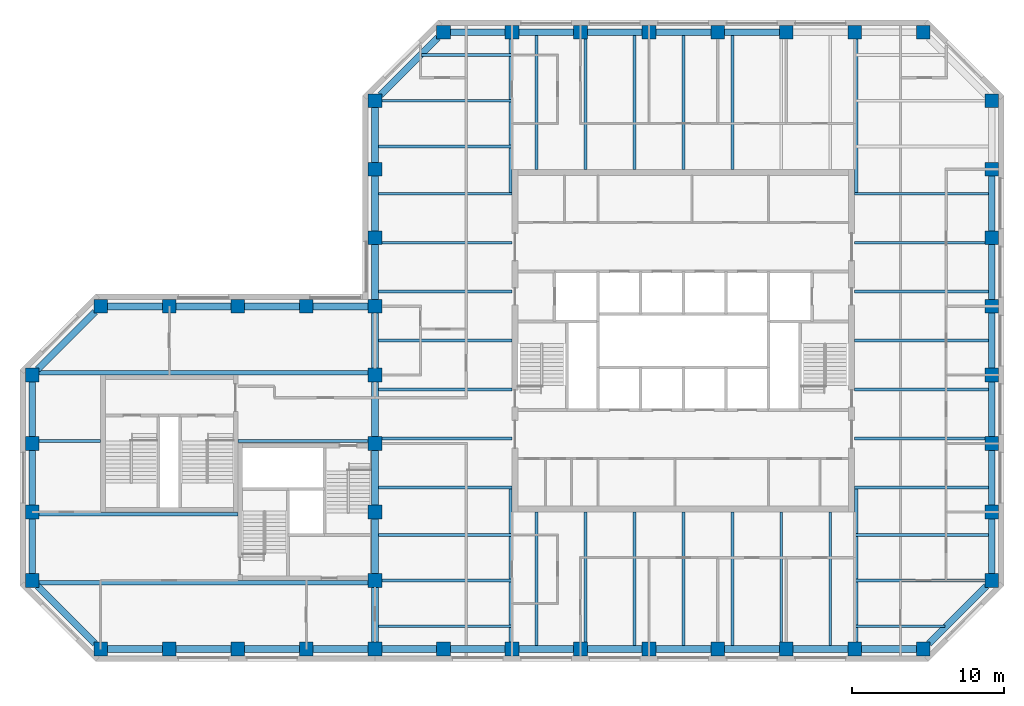
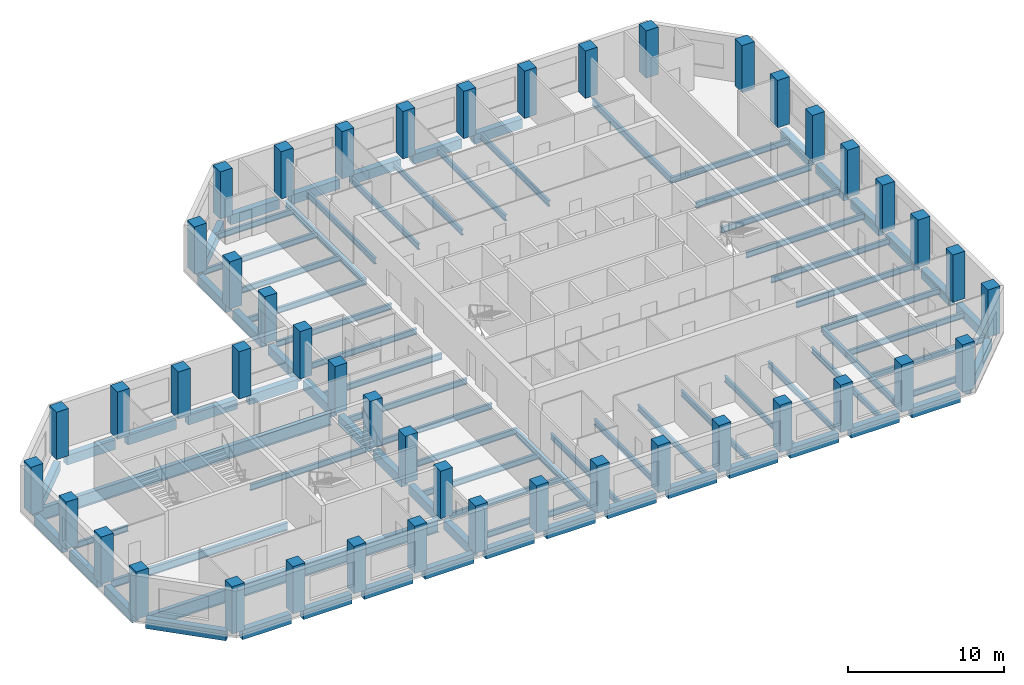
# One storey, part 1 of 9: 86 beams, 45 columns.
"""IFC4 building model written with IfcOpenShell, lengths in metres."""

import ifcopenshell
import ifcopenshell.guid

model = None  # the IFC model being written
_history = None  # IfcOwnerHistory: only IFC2X3 demands one
_inside = {}  # id of a spatial element -> (the spatial element, [elements in it])
_under = {}  # id of a project, library or spatial element -> (it, [spatial elements below it])
_declared = {}  # id of a project -> (the project, [libraries it declares])
_typed = {}  # id of a type object -> (the type object, [elements of that type])
_made_of = {}  # id of a material, layer set ... -> (it, [elements and type objects made of it])


def new_model(schema):
    """Start an empty IFC model of exactly this schema.

    Asked for "IFC4X3", IfcOpenShell would pick the latest addendum, in which some entities
    have other attributes; the version numbers below select the first issue.
    IFC2X3 requires an IfcOwnerHistory on every rooted entity: one is made here for all.
    """
    global model, _history
    if schema == "IFC4X3":
        model = ifcopenshell.file(schema_version=(4, 3, 0, 0))
    else:
        model = ifcopenshell.file(schema=schema)
    _inside.clear()
    _under.clear()
    _declared.clear()
    _typed.clear()
    _made_of.clear()
    _history = None
    if model.schema == "IFC2X3":
        org = make("IfcOrganization", Name="unknown")
        user = make(
            "IfcPersonAndOrganization",
            ThePerson=make("IfcPerson", FamilyName="unknown"),
            TheOrganization=org,
        )
        app = make(
            "IfcApplication",
            ApplicationDeveloper=org,
            Version="unknown",
            ApplicationFullName="unknown",
            ApplicationIdentifier="unknown",
        )
        _history = make(
            "IfcOwnerHistory",
            OwningUser=user,
            OwningApplication=app,
            ChangeAction="ADDED",
            CreationDate=0,
        )
    return model


def make(cls, **values):
    """One entity of the class cls with the attributes given. An attribute that is None is left unset."""
    return model.create_entity(
        cls, **{name: value for name, value in values.items() if value is not None}
    )


def rooted(cls, **values):
    """An entity with a GlobalId (a new one), such as an element, a storey or a relation."""
    return make(cls, GlobalId=ifcopenshell.guid.new(), OwnerHistory=_history, **values)


def si_unit(unit_type, name, prefix=None):
    """IfcSIUnit, for example si_unit("LENGTHUNIT", "METRE", prefix="MILLI")."""
    return make("IfcSIUnit", UnitType=unit_type, Prefix=prefix, Name=name)


def assignment(units):
    """IfcUnitAssignment: the units of a project."""
    return None if units is None else make("IfcUnitAssignment", Units=units)


def point(xyz):
    """IfcCartesianPoint."""
    return None if xyz is None else make("IfcCartesianPoint", Coordinates=xyz)


def direction(xyz):
    """IfcDirection."""
    return None if xyz is None else make("IfcDirection", DirectionRatios=xyz)


def frame(location, z_axis=None, x_axis=None):
    """IfcAxis2Placement3D, a coordinate frame: its origin and axes. An axis left out is left unset."""
    return make(
        "IfcAxis2Placement3D",
        Location=point(location),
        Axis=direction(z_axis),
        RefDirection=direction(x_axis),
    )


def frame_2d(location, x_axis=None):
    """IfcAxis2Placement2D, a coordinate frame in the plane: its origin and x axis."""
    return make(
        "IfcAxis2Placement2D", Location=point(location), RefDirection=direction(x_axis)
    )


def origin():
    """The frame at (0, 0, 0) with its axes left unset."""
    return frame((0.0, 0.0, 0.0))


def origin_2d():
    """The frame at (0, 0) in the plane with its x axis left unset."""
    return frame_2d((0.0, 0.0))


def place(relative_to, where):
    """IfcLocalPlacement: puts the frame where relative to a parent placement (None: the world)."""
    return make(
        "IfcLocalPlacement", PlacementRelTo=relative_to, RelativePlacement=where
    )


def context(
    kind, dimensions, precision=None, world=None, true_north=None, identifier=None
):
    """IfcGeometricRepresentationContext, for example the 3D "Model" context."""
    return make(
        "IfcGeometricRepresentationContext",
        ContextIdentifier=identifier,
        ContextType=kind,
        CoordinateSpaceDimension=dimensions,
        Precision=precision,
        WorldCoordinateSystem=world,
        TrueNorth=true_north,
    )


def subcontext(parent, identifier, kind, view, scale=None):
    """IfcGeometricRepresentationSubContext, for example "Body" below "Model"."""
    return make(
        "IfcGeometricRepresentationSubContext",
        ContextIdentifier=identifier,
        ContextType=kind,
        ParentContext=parent,
        TargetScale=scale,
        TargetView=view,
    )


def project(units=None, contexts=None):
    """IfcProject with its units and contexts."""
    return rooted(
        "IfcProject",
        Name="project",
        RepresentationContexts=contexts,
        UnitsInContext=assignment(units),
    )


def spatial(cls, under=None, at=None, **own):
    """A site, building, storey or space (cls), placed at a placement, below another one or the project."""
    s = rooted(cls, ObjectPlacement=at, **own)
    if under is not None:
        _under.setdefault(under.id(), (under, []))[1].append(s)
    return s


def profile(cls, at=None, kind="AREA", **sizes):
    """A parametric profile (cls). Its sizes go by their IFC names, for example OverallWidth=200.0."""
    return make(cls, ProfileType=kind, Position=at, **sizes)


def rectangle(**sizes):
    """IfcRectangleProfileDef."""
    return profile("IfcRectangleProfileDef", **sizes)


def i_section(**sizes):
    """IfcIShapeProfileDef."""
    return profile("IfcIShapeProfileDef", **sizes)


def extrude(swept, where, along, depth):
    """IfcExtrudedAreaSolid: the profile swept, set in the frame where, extruded along a direction by depth."""
    return make(
        "IfcExtrudedAreaSolid",
        SweptArea=swept,
        Position=where,
        ExtrudedDirection=direction(along),
        Depth=depth,
    )


def shape(context_of_items, identifier, shape_type, items):
    """IfcShapeRepresentation: the items that make up one representation, for example the "Body"."""
    return make(
        "IfcShapeRepresentation",
        ContextOfItems=context_of_items,
        RepresentationIdentifier=identifier,
        RepresentationType=shape_type,
        Items=items,
    )


def material(Name=None, Category=None):
    """IfcMaterial."""
    return make("IfcMaterial", Name=Name, Category=Category)


def material_profile(
    of_material, cross_section, Name=None, Category=None, Priority=None
):
    """IfcMaterialProfile: a cross section and its material."""
    return make(
        "IfcMaterialProfile",
        Name=Name,
        Material=of_material,
        Profile=cross_section,
        Priority=Priority,
        Category=Category,
    )


def profile_set(profiles, Name=None, composite=None):
    """IfcMaterialProfileSet."""
    return make(
        "IfcMaterialProfileSet",
        Name=Name,
        MaterialProfiles=profiles,
        CompositeProfile=composite,
    )


def made_of(thing, what):
    """Note that an element or type object is made of a material, layer set ...; save() writes the relation."""
    if what is not None:
        _made_of.setdefault(what.id(), (what, []))[1].append(thing)
    return thing


def type_object(cls, material=None, **own):
    """A type object (cls), such as IfcWallType, which elements share."""
    return made_of(rooted(cls, **own), material)


def element(
    cls,
    number,
    at=None,
    inside=None,
    cuts=None,
    type_object=None,
    material=None,
    context=None,
    identifier="Body",
    shape_type=None,
    held_by="IfcProductDefinitionShape",
    body=None,
    shapes=None,
    **own,
):
    """One element of the class cls, such as IfcWall. Its Tag is "e" and its number.

    at: its placement. inside: the storey or other place that contains it. cuts: it is an
    opening in that element (IfcRelVoidsElement). A single representation is given by context,
    identifier, shape_type and body (its items); several are given by shapes. held_by: the class
    of the entity that holds the representations. save() writes the other relations.
    """
    e = rooted(cls, Tag="e%d" % number, ObjectPlacement=at, **own)
    if body is not None:
        shapes = [shape(context, identifier, shape_type, body)]
    if shapes is not None:
        e.Representation = make(held_by, Representations=shapes)
    if inside is not None:
        _inside.setdefault(inside.id(), (inside, []))[1].append(e)
    if cuts is not None:
        rooted(
            "IfcRelVoidsElement", RelatingBuildingElement=cuts, RelatedOpeningElement=e
        )
    if type_object is not None:
        _typed.setdefault(type_object.id(), (type_object, []))[1].append(e)
    return made_of(e, material)


def aggregate(whole, parts):
    """IfcRelAggregates: a whole, such as a stair, and the parts it consists of."""
    return rooted("IfcRelAggregates", RelatingObject=whole, RelatedObjects=parts)


def save(model, path):
    """Write the relations noted so far, then the file.

    IfcRelAggregates (storeys below a building ...), IfcRelContainedInSpatialStructure (elements
    in a storey), IfcRelDefinesByType, IfcRelAssociatesMaterial and IfcRelDeclares: one each for
    every whole, place, type object, material and project.
    """
    for whole, parts in _under.values():
        aggregate(whole, parts)
    for where, things in _inside.values():
        rooted(
            "IfcRelContainedInSpatialStructure",
            RelatedElements=things,
            RelatingStructure=where,
        )
    for kind, things in _typed.values():
        rooted("IfcRelDefinesByType", RelatedObjects=things, RelatingType=kind)
    for what, things in _made_of.values():
        rooted("IfcRelAssociatesMaterial", RelatedObjects=things, RelatingMaterial=what)
    for by, libraries in _declared.values():
        rooted("IfcRelDeclares", RelatingContext=by, RelatedDefinitions=libraries)
    model.write(path)


model = new_model("IFC4")

# Units and contexts
model_context = context("Model", 3, precision=1e-05, world=origin(), true_north=direction((0.0, 1.0)))
body_context = subcontext(model_context, "Body", "Model", "MODEL_VIEW")
ifc_project = project(units=[si_unit("LENGTHUNIT", "METRE"), si_unit("AREAUNIT", "SQUARE_METRE"), si_unit("VOLUMEUNIT", "CUBIC_METRE"), si_unit("PLANEANGLEUNIT", "RADIAN"), si_unit("MASSUNIT", "GRAM", prefix="KILO")], contexts=[model_context])

# Site, building, storey
site_placement = place(None, origin())
site = spatial("IfcSite", under=ifc_project, at=site_placement, CompositionType="ELEMENT")
building_placement = place(site_placement, origin())
building = spatial("IfcBuilding", under=site, at=building_placement, Name="Quoin Convention Tower", CompositionType="ELEMENT")
storey_placement = place(building_placement, frame((0.0, 0.0, 151.39990234375)))
storey = spatial("IfcBuildingStorey", under=building, at=storey_placement, Name="L39", CompositionType="ELEMENT", Elevation=151.39990234375)

# Columns
ifc_material_1 = material(Name="Concrete C50", Category="concrete")
ifc_material_profile_1 = material_profile(ifc_material_1, rectangle(XDim=0.89990234375, YDim=0.89990234375, at=origin_2d()), Name="RC 900x900")
ifc_profile_set_1 = profile_set([ifc_material_profile_1], Name="Concrete C50")
column_type = type_object("IfcColumnType", Name="RC 900x900 C50", PredefinedType="COLUMN", material=ifc_profile_set_1)
for number, where, z_axis, x_axis, name in (
    (1, (18.0, 40.5, 0.0), (0.0, 0.0, 1.0), (1.0, 0.0, 0.0), "col-L39-18000_40500"),
    (2, (22.5, 40.5, 0.0), (0.0, 0.0, 1.0), (1.0, 0.0, 0.0), "col-L39-22500_40500"),
    (3, (27.0, 40.5, 0.0), (0.0, 0.0, 1.0), (1.0, 0.0, 0.0), "col-L39-27000_40500"),
    (4, (31.5, 40.5, 0.0), (0.0, 0.0, 1.0), (1.0, 0.0, 0.0), "col-L39-31500_40500"),
    (5, (36.0, 40.5, 0.0), (0.0, 0.0, 1.0), (1.0, 0.0, 0.0), "col-L39-36000_40500"),
    (6, (40.5, 40.5, 0.0), (0.0, 0.0, 1.0), (1.0, 0.0, 0.0), "col-L39-40500_40500"),
    (7, (45.0, 40.5, 0.0), (0.0, 0.0, 1.0), (1.0, 0.0, 0.0), "col-L39-45000_40500"),
    (8, (49.5, 40.5, 0.0), (0.0, 0.0, 1.0), (1.0, 0.0, 0.0), "col-L39-49500_40500"),
    (9, (54.0, 40.5, 0.0), (0.0, 0.0, 1.0), (1.0, 0.0, 0.0), "col-L39-54000_40500"),
    (10, (58.5, 40.5, 0.0), (0.0, 0.0, 1.0), (1.0, 0.0, 0.0), "col-L39-58500_40500"),
    (11, (63.0, 40.5, 0.0), (0.0, 0.0, 1.0), (1.0, 0.0, 0.0), "col-L39-63000_40500"),
    (12, (67.5, 40.5, 0.0), (0.0, 0.0, 1.0), (1.0, 0.0, 0.0), "col-L39-67500_40500"),
    (13, (72.0, 40.5, 0.0), (0.0, 0.0, 1.0), (1.0, 0.0, 0.0), "col-L39-72000_40500"),
    (14, (13.5, 45.0, 0.0), (0.0, 0.0, 1.0), (1.0, 0.0, 0.0), "col-L39-13500_45000"),
    (15, (36.0, 45.0, 0.0), (0.0, 0.0, 1.0), (1.0, 0.0, 0.0), "web-L39-36000_45000"),
    (16, (76.5, 45.0, 0.0), (0.0, 0.0, 1.0), (1.0, 0.0, 0.0), "col-L39-76500_45000"),
    (17, (13.5, 49.5, 0.0), (0.0, 0.0, 1.0), (1.0, 0.0, 0.0), "col-L39-13500_49500"),
    (18, (36.0, 49.5, 0.0), (0.0, 0.0, 1.0), (1.0, 0.0, 0.0), "web-L39-36000_49500"),
    (19, (76.5, 49.5, 0.0), (0.0, 0.0, 1.0), (1.0, 0.0, 0.0), "col-L39-76500_49500"),
    (20, (13.5, 54.0, 0.0), (0.0, 0.0, 1.0), (1.0, 0.0, 0.0), "col-L39-13500_54000"),
    (21, (36.0, 54.0, 0.0), (0.0, 0.0, 1.0), (1.0, 0.0, 0.0), "web-L39-36000_54000"),
    (22, (76.5, 54.0, 0.0), (0.0, 0.0, 1.0), (1.0, 0.0, 0.0), "col-L39-76500_54000"),
    (23, (13.5, 58.5, 0.0), (0.0, 0.0, 1.0), (1.0, 0.0, 0.0), "col-L39-13500_58500"),
    (24, (36.0, 58.5, 0.0), (0.0, 0.0, 1.0), (1.0, 0.0, 0.0), "web-L39-36000_58500"),
    (25, (76.5, 58.5, 0.0), (0.0, 0.0, 1.0), (1.0, 0.0, 0.0), "col-L39-76500_58500"),
    (26, (18.0, 63.0, 0.0), (0.0, 0.0, 1.0), (1.0, 0.0, 0.0), "col-L39-18000_63000"),
    (27, (22.5, 63.0, 0.0), (0.0, 0.0, 1.0), (1.0, 0.0, 0.0), "col-L39-22500_63000"),
    (28, (27.0, 63.0, 0.0), (0.0, 0.0, 1.0), (1.0, 0.0, 0.0), "col-L39-27000_63000"),
    (29, (31.5, 63.0, 0.0), (0.0, 0.0, 1.0), (1.0, 0.0, 0.0), "col-L39-31500_63000"),
    (30, (36.0, 63.0, 0.0), (0.0, 0.0, 1.0), (1.0, 0.0, 0.0), "col-L39-36000_63000"),
    (31, (76.5, 63.0, 0.0), (0.0, 0.0, 1.0), (1.0, 0.0, 0.0), "col-L39-76500_63000"),
    (32, (36.0, 67.5, 0.0), (0.0, 0.0, 1.0), (1.0, 0.0, 0.0), "col-L39-36000_67500"),
    (33, (76.5, 67.5, 0.0), (0.0, 0.0, 1.0), (1.0, 0.0, 0.0), "col-L39-76500_67500"),
    (34, (36.0, 72.0, 0.0), (0.0, 0.0, 1.0), (1.0, 0.0, 0.0), "col-L39-36000_72000"),
    (35, (76.5, 72.0, 0.0), (0.0, 0.0, 1.0), (1.0, 0.0, 0.0), "col-L39-76500_72000"),
    (36, (36.0, 76.5, 0.0), (0.0, 0.0, 1.0), (1.0, 0.0, 0.0), "col-L39-36000_76500"),
    (37, (76.5, 76.5, 0.0), (0.0, 0.0, 1.0), (1.0, 0.0, 0.0), "col-L39-76500_76500"),
    (38, (40.5, 81.0, 0.0), (0.0, 0.0, 1.0), (1.0, 0.0, 0.0), "col-L39-40500_81000"),
    (39, (45.0, 81.0, 0.0), (0.0, 0.0, 1.0), (1.0, 0.0, 0.0), "col-L39-45000_81000"),
    (40, (49.5, 81.0, 0.0), (0.0, 0.0, 1.0), (1.0, 0.0, 0.0), "col-L39-49500_81000"),
    (41, (54.0, 81.0, 0.0), (0.0, 0.0, 1.0), (1.0, 0.0, 0.0), "col-L39-54000_81000"),
    (42, (58.5, 81.0, 0.0), (0.0, 0.0, 1.0), (1.0, 0.0, 0.0), "col-L39-58500_81000"),
    (43, (63.0, 81.0, 0.0), (0.0, 0.0, 1.0), (1.0, 0.0, 0.0), "col-L39-63000_81000"),
    (44, (67.5, 81.0, 0.0), (0.0, 0.0, 1.0), (1.0, 0.0, 0.0), "col-L39-67500_81000"),
    (45, (72.0, 81.0, 0.0), (0.0, 0.0, 1.0), (1.0, 0.0, 0.0), "col-L39-72000_81000"),
):
    element("IfcColumn", number, at=place(storey_placement, frame(where, z_axis=z_axis, x_axis=x_axis)), inside=storey, type_object=column_type, Name=name, PredefinedType="COLUMN", context=body_context, shape_type="SweptSolid", body=[
        extrude(rectangle(XDim=0.89990234375, YDim=0.89990234375, at=origin_2d()), origin(), (0.0, 0.0, 1.0), 3.7001953125),
    ])

# Beams
ifc_material_2 = material(Name="Steel Grade 300", Category="steel")
ifc_material_profile_2 = material_profile(ifc_material_2, i_section(OverallWidth=0.300048828125, OverallDepth=1.0, WebThickness=0.01611328125, FlangeThickness=0.02001953125, at=origin_2d()), Name="1000WB215")
ifc_profile_set_2 = profile_set([ifc_material_profile_2], Name="Steel Grade 300")
beam_type_1 = type_object("IfcBeamType", Name="1000WB215", PredefinedType="BEAM", material=ifc_profile_set_2)
for number, where, z_axis, x_axis, name in (
    (46, (13.949951171875, 44.85009765625, -0.64990234375), (1.0, 0.0, 0.0), (0.0, 1.0, 0.0), "gir-L39-ST2-1-0"),
    (47, (13.949951171875, 58.64990234375, -0.64990234375), (1.0, 0.0, 0.0), (0.0, 1.0, 0.0), "gir-L39-ST2-4-0"),
):
    element("IfcBeam", number, at=place(storey_placement, frame(where, z_axis=z_axis, x_axis=x_axis)), inside=storey, type_object=beam_type_1, Name=name, PredefinedType="BEAM", context=body_context, shape_type="SweptSolid", body=[
        extrude(i_section(OverallWidth=0.300048828125, OverallDepth=1.0, WebThickness=0.01611328125, FlangeThickness=0.02001953125, at=origin_2d()), origin(), (0.0, 0.0, 1.0), 21.60009765625),
    ])
ifc_material_profile_3 = material_profile(ifc_material_2, i_section(OverallWidth=0.18994140625, OverallDepth=0.4541015625, WebThickness=0.008544921875, FlangeThickness=0.0126953125, FilletRadius=0.011474609375, at=origin_2d()), Name="460UB67.1")
ifc_profile_set_3 = profile_set([ifc_material_profile_3], Name="Steel Grade 300")
beam_type_2 = type_object("IfcBeamType", Name="460UB67.1", PredefinedType="BEAM", material=ifc_profile_set_3)
beam_1_placement = place(storey_placement, frame((36.22509765625, 51.107177734375, -0.376953125), z_axis=(1.0, 0.0, 0.0), x_axis=(0.0, 1.0, 0.0)))
element("IfcBeam", 48, at=beam_1_placement, inside=storey, type_object=beam_type_2, Name="bm-L39-T1W0", PredefinedType="BEAM", context=body_context, shape_type="SweptSolid", body=[
    extrude(i_section(OverallWidth=0.18994140625, OverallDepth=0.4541015625, WebThickness=0.008544921875, FlangeThickness=0.0126953125, FilletRadius=0.011474609375, at=origin_2d()), origin(), (0.0, 0.0, 1.0), 8.77490234375),
])
beam_2_placement = place(storey_placement, frame((36.449951171875, 54.3212890625, -0.376953125), z_axis=(1.0, 0.0, 0.0), x_axis=(0.0, 1.0, 0.0)))
element("IfcBeam", 49, at=beam_2_placement, inside=storey, type_object=beam_type_2, Name="bm-L39-T1W1", PredefinedType="BEAM", context=body_context, shape_type="SweptSolid", body=[
    extrude(i_section(OverallWidth=0.18994140625, OverallDepth=0.4541015625, WebThickness=0.008544921875, FlangeThickness=0.0126953125, FilletRadius=0.011474609375, at=origin_2d()), origin(), (0.0, 0.0, 1.0), 8.550048828125),
])
for number, where, z_axis, x_axis, name in (
    (50, (36.22509765625, 57.53564453125, -0.376953125), (1.0, 0.0, 0.0), (0.0, 1.0, 0.0), "bm-L39-T1W2"),
    (51, (36.22509765625, 60.75, -0.376953125), (1.0, 0.0, 0.0), (0.0, 1.0, 0.0), "bm-L39-T1W3"),
    (52, (36.22509765625, 63.96435546875, -0.376953125), (1.0, 0.0, 0.0), (0.0, 1.0, 0.0), "bm-L39-T1W4"),
):
    element("IfcBeam", number, at=place(storey_placement, frame(where, z_axis=z_axis, x_axis=x_axis)), inside=storey, type_object=beam_type_2, Name=name, PredefinedType="BEAM", context=body_context, shape_type="SweptSolid", body=[
        extrude(i_section(OverallWidth=0.18994140625, OverallDepth=0.4541015625, WebThickness=0.008544921875, FlangeThickness=0.0126953125, FilletRadius=0.011474609375, at=origin_2d()), origin(), (0.0, 0.0, 1.0), 8.77490234375),
    ])
beam_3_placement = place(storey_placement, frame((36.449951171875, 67.1787109375, -0.376953125), z_axis=(1.0, 0.0, 0.0), x_axis=(0.0, 1.0, 0.0)))
element("IfcBeam", 53, at=beam_3_placement, inside=storey, type_object=beam_type_2, Name="bm-L39-T1W5", PredefinedType="BEAM", context=body_context, shape_type="SweptSolid", body=[
    extrude(i_section(OverallWidth=0.18994140625, OverallDepth=0.4541015625, WebThickness=0.008544921875, FlangeThickness=0.0126953125, FilletRadius=0.011474609375, at=origin_2d()), origin(), (0.0, 0.0, 1.0), 8.550048828125),
])
for number, where, z_axis, x_axis, name in (
    (54, (36.22509765625, 70.392822265625, -0.376953125), (1.0, 0.0, 0.0), (0.0, 1.0, 0.0), "bm-L39-T1W6"),
    (55, (67.5, 51.107177734375, -0.376953125), (1.0, 0.0, 0.0), (0.0, 1.0, 0.0), "bm-L39-T1E0"),
):
    element("IfcBeam", number, at=place(storey_placement, frame(where, z_axis=z_axis, x_axis=x_axis)), inside=storey, type_object=beam_type_2, Name=name, PredefinedType="BEAM", context=body_context, shape_type="SweptSolid", body=[
        extrude(i_section(OverallWidth=0.18994140625, OverallDepth=0.4541015625, WebThickness=0.008544921875, FlangeThickness=0.0126953125, FilletRadius=0.011474609375, at=origin_2d()), origin(), (0.0, 0.0, 1.0), 8.77490234375),
    ])
beam_4_placement = place(storey_placement, frame((67.5, 54.3212890625, -0.376953125), z_axis=(1.0, 0.0, 0.0), x_axis=(0.0, 1.0, 0.0)))
element("IfcBeam", 56, at=beam_4_placement, inside=storey, type_object=beam_type_2, Name="bm-L39-T1E1", PredefinedType="BEAM", context=body_context, shape_type="SweptSolid", body=[
    extrude(i_section(OverallWidth=0.18994140625, OverallDepth=0.4541015625, WebThickness=0.008544921875, FlangeThickness=0.0126953125, FilletRadius=0.011474609375, at=origin_2d()), origin(), (0.0, 0.0, 1.0), 8.550048828125),
])
for number, where, z_axis, x_axis, name in (
    (57, (67.5, 57.53564453125, -0.376953125), (1.0, 0.0, 0.0), (0.0, 1.0, 0.0), "bm-L39-T1E2"),
    (58, (67.5, 60.75, -0.376953125), (1.0, 0.0, 0.0), (0.0, 1.0, 0.0), "bm-L39-T1E3"),
    (59, (67.5, 63.96435546875, -0.376953125), (1.0, 0.0, 0.0), (0.0, 1.0, 0.0), "bm-L39-T1E4"),
):
    element("IfcBeam", number, at=place(storey_placement, frame(where, z_axis=z_axis, x_axis=x_axis)), inside=storey, type_object=beam_type_2, Name=name, PredefinedType="BEAM", context=body_context, shape_type="SweptSolid", body=[
        extrude(i_section(OverallWidth=0.18994140625, OverallDepth=0.4541015625, WebThickness=0.008544921875, FlangeThickness=0.0126953125, FilletRadius=0.011474609375, at=origin_2d()), origin(), (0.0, 0.0, 1.0), 8.77490234375),
    ])
beam_5_placement = place(storey_placement, frame((67.5, 67.1787109375, -0.376953125), z_axis=(1.0, 0.0, 0.0), x_axis=(0.0, 1.0, 0.0)))
element("IfcBeam", 60, at=beam_5_placement, inside=storey, type_object=beam_type_2, Name="bm-L39-T1E5", PredefinedType="BEAM", context=body_context, shape_type="SweptSolid", body=[
    extrude(i_section(OverallWidth=0.18994140625, OverallDepth=0.4541015625, WebThickness=0.008544921875, FlangeThickness=0.0126953125, FilletRadius=0.011474609375, at=origin_2d()), origin(), (0.0, 0.0, 1.0), 8.550048828125),
])
for number, where, z_axis, x_axis, name in (
    (61, (67.5, 70.392822265625, -0.376953125), (1.0, 0.0, 0.0), (0.0, 1.0, 0.0), "bm-L39-T1E6"),
    (62, (46.607177734375, 40.72509765625, -0.376953125), (0.0, 1.0, 0.0), (-1.0, 0.0, 0.0), "bm-L39-T1S0"),
):
    element("IfcBeam", number, at=place(storey_placement, frame(where, z_axis=z_axis, x_axis=x_axis)), inside=storey, type_object=beam_type_2, Name=name, PredefinedType="BEAM", context=body_context, shape_type="SweptSolid", body=[
        extrude(i_section(OverallWidth=0.18994140625, OverallDepth=0.4541015625, WebThickness=0.008544921875, FlangeThickness=0.0126953125, FilletRadius=0.011474609375, at=origin_2d()), origin(), (0.0, 0.0, 1.0), 8.77490234375),
    ])
beam_6_placement = place(storey_placement, frame((49.8212890625, 40.949951171875, -0.376953125), z_axis=(0.0, 1.0, 0.0), x_axis=(-1.0, 0.0, 0.0)))
element("IfcBeam", 63, at=beam_6_placement, inside=storey, type_object=beam_type_2, Name="bm-L39-T1S1", PredefinedType="BEAM", context=body_context, shape_type="SweptSolid", body=[
    extrude(i_section(OverallWidth=0.18994140625, OverallDepth=0.4541015625, WebThickness=0.008544921875, FlangeThickness=0.0126953125, FilletRadius=0.011474609375, at=origin_2d()), origin(), (0.0, 0.0, 1.0), 8.550048828125),
])
for number, where, z_axis, x_axis, name in (
    (64, (53.03564453125, 40.72509765625, -0.376953125), (0.0, 1.0, 0.0), (-1.0, 0.0, 0.0), "bm-L39-T1S2"),
    (65, (56.25, 40.72509765625, -0.376953125), (0.0, 1.0, 0.0), (-1.0, 0.0, 0.0), "bm-L39-T1S3"),
    (66, (59.46435546875, 40.72509765625, -0.376953125), (0.0, 1.0, 0.0), (-1.0, 0.0, 0.0), "bm-L39-T1S4"),
):
    element("IfcBeam", number, at=place(storey_placement, frame(where, z_axis=z_axis, x_axis=x_axis)), inside=storey, type_object=beam_type_2, Name=name, PredefinedType="BEAM", context=body_context, shape_type="SweptSolid", body=[
        extrude(i_section(OverallWidth=0.18994140625, OverallDepth=0.4541015625, WebThickness=0.008544921875, FlangeThickness=0.0126953125, FilletRadius=0.011474609375, at=origin_2d()), origin(), (0.0, 0.0, 1.0), 8.77490234375),
    ])
beam_7_placement = place(storey_placement, frame((62.6787109375, 40.949951171875, -0.376953125), z_axis=(0.0, 1.0, 0.0), x_axis=(-1.0, 0.0, 0.0)))
element("IfcBeam", 67, at=beam_7_placement, inside=storey, type_object=beam_type_2, Name="bm-L39-T1S5", PredefinedType="BEAM", context=body_context, shape_type="SweptSolid", body=[
    extrude(i_section(OverallWidth=0.18994140625, OverallDepth=0.4541015625, WebThickness=0.008544921875, FlangeThickness=0.0126953125, FilletRadius=0.011474609375, at=origin_2d()), origin(), (0.0, 0.0, 1.0), 8.550048828125),
])
for number, where, z_axis, x_axis, name in (
    (68, (65.892822265625, 40.72509765625, -0.376953125), (0.0, 1.0, 0.0), (-1.0, 0.0, 0.0), "bm-L39-T1S6"),
    (69, (46.607177734375, 72.0, -0.376953125), (0.0, 1.0, 0.0), (-1.0, 0.0, 0.0), "bm-L39-T1N0"),
):
    element("IfcBeam", number, at=place(storey_placement, frame(where, z_axis=z_axis, x_axis=x_axis)), inside=storey, type_object=beam_type_2, Name=name, PredefinedType="BEAM", context=body_context, shape_type="SweptSolid", body=[
        extrude(i_section(OverallWidth=0.18994140625, OverallDepth=0.4541015625, WebThickness=0.008544921875, FlangeThickness=0.0126953125, FilletRadius=0.011474609375, at=origin_2d()), origin(), (0.0, 0.0, 1.0), 8.77490234375),
    ])
beam_8_placement = place(storey_placement, frame((49.8212890625, 72.0, -0.376953125), z_axis=(0.0, 1.0, 0.0), x_axis=(-1.0, 0.0, 0.0)))
element("IfcBeam", 70, at=beam_8_placement, inside=storey, type_object=beam_type_2, Name="bm-L39-T1N1", PredefinedType="BEAM", context=body_context, shape_type="SweptSolid", body=[
    extrude(i_section(OverallWidth=0.18994140625, OverallDepth=0.4541015625, WebThickness=0.008544921875, FlangeThickness=0.0126953125, FilletRadius=0.011474609375, at=origin_2d()), origin(), (0.0, 0.0, 1.0), 8.550048828125),
])
for number, where, z_axis, x_axis, name in (
    (71, (53.03564453125, 72.0, -0.376953125), (0.0, 1.0, 0.0), (-1.0, 0.0, 0.0), "bm-L39-T1N2"),
    (72, (56.25, 72.0, -0.376953125), (0.0, 1.0, 0.0), (-1.0, 0.0, 0.0), "bm-L39-T1N3"),
    (73, (59.46435546875, 72.0, -0.376953125), (0.0, 1.0, 0.0), (-1.0, 0.0, 0.0), "bm-L39-T1N4"),
    (74, (36.22509765625, 42.0, -0.376953125), (1.0, 0.0, 0.0), (0.0, 1.0, 0.0), "bm-L39-T1SW0"),
):
    element("IfcBeam", number, at=place(storey_placement, frame(where, z_axis=z_axis, x_axis=x_axis)), inside=storey, type_object=beam_type_2, Name=name, PredefinedType="BEAM", context=body_context, shape_type="SweptSolid", body=[
        extrude(i_section(OverallWidth=0.18994140625, OverallDepth=0.4541015625, WebThickness=0.008544921875, FlangeThickness=0.0126953125, FilletRadius=0.011474609375, at=origin_2d()), origin(), (0.0, 0.0, 1.0), 8.77490234375),
    ])
beam_9_placement = place(storey_placement, frame((36.449951171875, 45.0, -0.376953125), z_axis=(1.0, 0.0, 0.0), x_axis=(0.0, 1.0, 0.0)))
element("IfcBeam", 75, at=beam_9_placement, inside=storey, type_object=beam_type_2, Name="bm-L39-T1SW1", PredefinedType="BEAM", context=body_context, shape_type="SweptSolid", body=[
    extrude(i_section(OverallWidth=0.18994140625, OverallDepth=0.4541015625, WebThickness=0.008544921875, FlangeThickness=0.0126953125, FilletRadius=0.011474609375, at=origin_2d()), origin(), (0.0, 0.0, 1.0), 8.550048828125),
])
beam_10_placement = place(storey_placement, frame((36.22509765625, 48.0, -0.376953125), z_axis=(1.0, 0.0, 0.0), x_axis=(0.0, 1.0, 0.0)))
element("IfcBeam", 76, at=beam_10_placement, inside=storey, type_object=beam_type_2, Name="bm-L39-T1SW2", PredefinedType="BEAM", context=body_context, shape_type="SweptSolid", body=[
    extrude(i_section(OverallWidth=0.18994140625, OverallDepth=0.4541015625, WebThickness=0.008544921875, FlangeThickness=0.0126953125, FilletRadius=0.011474609375, at=origin_2d()), origin(), (0.0, 0.0, 1.0), 8.77490234375),
])
beam_11_placement = place(storey_placement, frame((67.5, 42.0, -0.376953125), z_axis=(1.0, 0.0, 0.0), x_axis=(0.0, 1.0, 0.0)))
element("IfcBeam", 77, at=beam_11_placement, inside=storey, type_object=beam_type_2, Name="bm-L39-T1SE0", PredefinedType="BEAM", context=body_context, shape_type="SweptSolid", body=[
    extrude(i_section(OverallWidth=0.18994140625, OverallDepth=0.4541015625, WebThickness=0.008544921875, FlangeThickness=0.0126953125, FilletRadius=0.011474609375, at=origin_2d()), origin(), (0.0, 0.0, 1.0), 5.935791015625),
])
beam_12_placement = place(storey_placement, frame((67.5, 45.0, -0.376953125), z_axis=(1.0, 0.0, 0.0), x_axis=(0.0, 1.0, 0.0)))
element("IfcBeam", 78, at=beam_12_placement, inside=storey, type_object=beam_type_2, Name="bm-L39-T1SE1", PredefinedType="BEAM", context=body_context, shape_type="SweptSolid", body=[
    extrude(i_section(OverallWidth=0.18994140625, OverallDepth=0.4541015625, WebThickness=0.008544921875, FlangeThickness=0.0126953125, FilletRadius=0.011474609375, at=origin_2d()), origin(), (0.0, 0.0, 1.0), 8.550048828125),
])
beam_13_placement = place(storey_placement, frame((67.5, 48.0, -0.376953125), z_axis=(1.0, 0.0, 0.0), x_axis=(0.0, 1.0, 0.0)))
element("IfcBeam", 79, at=beam_13_placement, inside=storey, type_object=beam_type_2, Name="bm-L39-T1SE2", PredefinedType="BEAM", context=body_context, shape_type="SweptSolid", body=[
    extrude(i_section(OverallWidth=0.18994140625, OverallDepth=0.4541015625, WebThickness=0.008544921875, FlangeThickness=0.0126953125, FilletRadius=0.011474609375, at=origin_2d()), origin(), (0.0, 0.0, 1.0), 8.77490234375),
])
beam_14_placement = place(storey_placement, frame((39.064208984375, 79.5, -0.376953125), z_axis=(1.0, 0.0, 0.0), x_axis=(0.0, 1.0, 0.0)))
element("IfcBeam", 80, at=beam_14_placement, inside=storey, type_object=beam_type_2, Name="bm-L39-T1NW0", PredefinedType="BEAM", context=body_context, shape_type="SweptSolid", body=[
    extrude(i_section(OverallWidth=0.18994140625, OverallDepth=0.4541015625, WebThickness=0.008544921875, FlangeThickness=0.0126953125, FilletRadius=0.011474609375, at=origin_2d()), origin(), (0.0, 0.0, 1.0), 5.935791015625),
])
beam_15_placement = place(storey_placement, frame((36.449951171875, 76.5, -0.376953125), z_axis=(1.0, 0.0, 0.0), x_axis=(0.0, 1.0, 0.0)))
element("IfcBeam", 81, at=beam_15_placement, inside=storey, type_object=beam_type_2, Name="bm-L39-T1NW1", PredefinedType="BEAM", context=body_context, shape_type="SweptSolid", body=[
    extrude(i_section(OverallWidth=0.18994140625, OverallDepth=0.4541015625, WebThickness=0.008544921875, FlangeThickness=0.0126953125, FilletRadius=0.011474609375, at=origin_2d()), origin(), (0.0, 0.0, 1.0), 8.550048828125),
])
beam_16_placement = place(storey_placement, frame((36.22509765625, 73.5, -0.376953125), z_axis=(1.0, 0.0, 0.0), x_axis=(0.0, 1.0, 0.0)))
element("IfcBeam", 82, at=beam_16_placement, inside=storey, type_object=beam_type_2, Name="bm-L39-T1NW2", PredefinedType="BEAM", context=body_context, shape_type="SweptSolid", body=[
    extrude(i_section(OverallWidth=0.18994140625, OverallDepth=0.4541015625, WebThickness=0.008544921875, FlangeThickness=0.0126953125, FilletRadius=0.011474609375, at=origin_2d()), origin(), (0.0, 0.0, 1.0), 8.77490234375),
])
beam_17_placement = place(storey_placement, frame((13.949951171875, 54.14990234375, -0.376953125), z_axis=(1.0, 0.0, 0.0), x_axis=(0.0, 1.0, 0.0)))
element("IfcBeam", 83, at=beam_17_placement, inside=storey, type_object=beam_type_2, Name="gir-L39-ST2-3-0", PredefinedType="BEAM", context=body_context, shape_type="SweptSolid", body=[
    extrude(i_section(OverallWidth=0.18994140625, OverallDepth=0.4541015625, WebThickness=0.008544921875, FlangeThickness=0.0126953125, FilletRadius=0.011474609375, at=origin_2d()), origin(), (0.0, 0.0, 1.0), 4.050048828125),
])
beam_18_placement = place(storey_placement, frame((27.0, 54.14990234375, -0.376953125), z_axis=(1.0, 0.0, 0.0), x_axis=(0.0, 1.0, 0.0)))
element("IfcBeam", 84, at=beam_18_placement, inside=storey, type_object=beam_type_2, Name="gir-L39-ST2-3-1", PredefinedType="BEAM", context=body_context, shape_type="SweptSolid", body=[
    extrude(i_section(OverallWidth=0.18994140625, OverallDepth=0.4541015625, WebThickness=0.008544921875, FlangeThickness=0.0126953125, FilletRadius=0.011474609375, at=origin_2d()), origin(), (0.0, 0.0, 1.0), 8.550048828125),
])
ifc_material_profile_4 = material_profile(ifc_material_2, i_section(OverallWidth=0.208984375, OverallDepth=0.528076171875, WebThickness=0.009521484375, FlangeThickness=0.01318359375, FilletRadius=0.013916015625, at=origin_2d()), Name="530UB82.0")
ifc_profile_set_4 = profile_set([ifc_material_profile_4], Name="Steel Grade 300")
beam_type_3 = type_object("IfcBeamType", Name="530UB82.0", PredefinedType="BEAM", material=ifc_profile_set_4)
for number, where, z_axis, x_axis, name in (
    (85, (44.904541015625, 40.949951171875, -0.413818359375), (0.0, 1.0, 0.0), (-1.0, 0.0, 0.0), "gir-L39-T1SW"),
    (86, (67.595458984375, 40.949951171875, -0.413818359375), (0.0, 1.0, 0.0), (-1.0, 0.0, 0.0), "gir-L39-T1SE"),
    (87, (44.904541015625, 80.550048828125, -0.413818359375), (0.0, -1.0, 0.0), (1.0, 0.0, 0.0), "gir-L39-T1NW"),
    (88, (67.595458984375, 80.550048828125, -0.413818359375), (0.0, -1.0, 0.0), (1.0, 0.0, 0.0), "gir-L39-T1NE"),
):
    element("IfcBeam", number, at=place(storey_placement, frame(where, z_axis=z_axis, x_axis=x_axis)), inside=storey, type_object=beam_type_3, Name=name, PredefinedType="BEAM", context=body_context, shape_type="SweptSolid", body=[
        extrude(i_section(OverallWidth=0.208984375, OverallDepth=0.528076171875, WebThickness=0.009521484375, FlangeThickness=0.01318359375, FilletRadius=0.013916015625, at=origin_2d()), origin(), (0.0, 0.0, 1.0), 10.062255859375),
    ])
ifc_material_profile_5 = material_profile(ifc_material_2, i_section(OverallWidth=0.22802734375, OverallDepth=0.60205078125, WebThickness=0.010498046875, FlangeThickness=0.014892578125, FilletRadius=0.013916015625, at=origin_2d()), Name="610UB101")
ifc_profile_set_5 = profile_set([ifc_material_profile_5], Name="Steel Grade 300")
beam_type_4 = type_object("IfcBeamType", Name="610UB101", PredefinedType="BEAM", material=ifc_profile_set_5)
beam_19_placement = place(storey_placement, frame((13.949951171875, 49.35009765625, -0.450927734375), z_axis=(1.0, 0.0, 0.0), x_axis=(0.0, 1.0, 0.0)))
element("IfcBeam", 89, at=beam_19_placement, inside=storey, type_object=beam_type_4, Name="gir-L39-ST2-2-0", PredefinedType="BEAM", context=body_context, shape_type="SweptSolid", body=[
    extrude(i_section(OverallWidth=0.22802734375, OverallDepth=0.60205078125, WebThickness=0.010498046875, FlangeThickness=0.014892578125, FilletRadius=0.013916015625, at=origin_2d()), origin(), (0.0, 0.0, 1.0), 13.050048828125),
])
ifc_material_profile_6 = material_profile(ifc_material_1, rectangle(XDim=0.449951171875, YDim=0.75, at=origin_2d()), Name="RC 450x750")
ifc_profile_set_6 = profile_set([ifc_material_profile_6], Name="Concrete C50")
beam_type_5 = type_object("IfcBeamType", Name="RC 450x750 C50", PredefinedType="SPANDREL", material=ifc_profile_set_6)
for number, where, z_axis, x_axis, name in (
    (90, (36.449951171875, 40.5, -0.52490234375), (1.0, 0.0, 0.0), (0.0, 1.0, 0.0), "spd-L39-36000_40500-40500_40500"),
    (91, (40.949951171875, 40.5, -0.52490234375), (1.0, 0.0, 0.0), (0.0, 1.0, 0.0), "spd-L39-40500_40500-45000_40500"),
    (92, (45.449951171875, 40.5, -0.52490234375), (1.0, 0.0, 0.0), (0.0, 1.0, 0.0), "spd-L39-45000_40500-49500_40500"),
    (93, (49.949951171875, 40.5, -0.52490234375), (1.0, 0.0, 0.0), (0.0, 1.0, 0.0), "spd-L39-49500_40500-54000_40500"),
    (94, (54.449951171875, 40.5, -0.52490234375), (1.0, 0.0, 0.0), (0.0, 1.0, 0.0), "spd-L39-54000_40500-58500_40500"),
    (95, (58.949951171875, 40.5, -0.52490234375), (1.0, 0.0, 0.0), (0.0, 1.0, 0.0), "spd-L39-58500_40500-63000_40500"),
    (96, (63.449951171875, 40.5, -0.52490234375), (1.0, 0.0, 0.0), (0.0, 1.0, 0.0), "spd-L39-63000_40500-67500_40500"),
    (97, (67.949951171875, 40.5, -0.52490234375), (1.0, 0.0, 0.0), (0.0, 1.0, 0.0), "spd-L39-67500_40500-72000_40500"),
):
    element("IfcBeam", number, at=place(storey_placement, frame(where, z_axis=z_axis, x_axis=x_axis)), inside=storey, type_object=beam_type_5, Name=name, PredefinedType="SPANDREL", context=body_context, shape_type="SweptSolid", body=[
        extrude(rectangle(XDim=0.449951171875, YDim=0.75, at=origin_2d()), origin(), (0.0, 0.0, 1.0), 3.60009765625),
    ])
beam_20_placement = place(storey_placement, frame((72.364990234375, 40.864990234375, -0.52490234375), z_axis=(0.707106781187, 0.707106781187, 0.0), x_axis=(-0.707106781187, 0.707106781187, 0.0)))
element("IfcBeam", 98, at=beam_20_placement, inside=storey, type_object=beam_type_5, Name="spd-L39-72000_40500-76500_45000", PredefinedType="SPANDREL", context=body_context, shape_type="SweptSolid", body=[
    extrude(rectangle(XDim=0.449951171875, YDim=0.75, at=origin_2d()), origin(), (0.0, 0.0, 1.0), 5.33154296875),
])
for number, where, z_axis, x_axis, name in (
    (99, (76.5, 45.449951171875, -0.52490234375), (0.0, 1.0, 0.0), (-1.0, 0.0, 0.0), "spd-L39-76500_45000-76500_49500"),
    (100, (76.5, 49.949951171875, -0.52490234375), (0.0, 1.0, 0.0), (-1.0, 0.0, 0.0), "spd-L39-76500_49500-76500_54000"),
    (101, (76.5, 54.449951171875, -0.52490234375), (0.0, 1.0, 0.0), (-1.0, 0.0, 0.0), "spd-L39-76500_54000-76500_58500"),
    (102, (76.5, 58.949951171875, -0.52490234375), (0.0, 1.0, 0.0), (-1.0, 0.0, 0.0), "spd-L39-76500_58500-76500_63000"),
    (103, (76.5, 63.449951171875, -0.52490234375), (0.0, 1.0, 0.0), (-1.0, 0.0, 0.0), "spd-L39-76500_63000-76500_67500"),
    (104, (76.5, 67.949951171875, -0.52490234375), (0.0, 1.0, 0.0), (-1.0, 0.0, 0.0), "spd-L39-76500_67500-76500_72000"),
    (105, (62.550048828125, 81.0, -0.52490234375), (-1.0, 0.0, 0.0), (0.0, -1.0, 0.0), "spd-L39-63000_81000-58500_81000"),
    (106, (58.050048828125, 81.0, -0.52490234375), (-1.0, 0.0, 0.0), (0.0, -1.0, 0.0), "spd-L39-58500_81000-54000_81000"),
    (107, (53.550048828125, 81.0, -0.52490234375), (-1.0, 0.0, 0.0), (0.0, -1.0, 0.0), "spd-L39-54000_81000-49500_81000"),
    (108, (49.050048828125, 81.0, -0.52490234375), (-1.0, 0.0, 0.0), (0.0, -1.0, 0.0), "spd-L39-49500_81000-45000_81000"),
    (109, (44.550048828125, 81.0, -0.52490234375), (-1.0, 0.0, 0.0), (0.0, -1.0, 0.0), "spd-L39-45000_81000-40500_81000"),
):
    element("IfcBeam", number, at=place(storey_placement, frame(where, z_axis=z_axis, x_axis=x_axis)), inside=storey, type_object=beam_type_5, Name=name, PredefinedType="SPANDREL", context=body_context, shape_type="SweptSolid", body=[
        extrude(rectangle(XDim=0.449951171875, YDim=0.75, at=origin_2d()), origin(), (0.0, 0.0, 1.0), 3.60009765625),
    ])
beam_21_placement = place(storey_placement, frame((40.135009765625, 80.635009765625, -0.52490234375), z_axis=(-0.707106781187, -0.707106781187, 0.0), x_axis=(0.707106781187, -0.707106781187, 0.0)))
element("IfcBeam", 110, at=beam_21_placement, inside=storey, type_object=beam_type_5, Name="spd-L39-40500_81000-36000_76500", PredefinedType="SPANDREL", context=body_context, shape_type="SweptSolid", body=[
    extrude(rectangle(XDim=0.449951171875, YDim=0.75, at=origin_2d()), origin(), (0.0, 0.0, 1.0), 5.33154296875),
])
for number, where, z_axis, x_axis, name in (
    (111, (36.0, 76.050048828125, -0.52490234375), (0.0, -1.0, 0.0), (1.0, 0.0, 0.0), "spd-L39-36000_76500-36000_72000"),
    (112, (36.0, 71.550048828125, -0.52490234375), (0.0, -1.0, 0.0), (1.0, 0.0, 0.0), "spd-L39-36000_72000-36000_67500"),
    (113, (36.0, 67.050048828125, -0.52490234375), (0.0, -1.0, 0.0), (1.0, 0.0, 0.0), "spd-L39-36000_67500-36000_63000"),
    (114, (35.550048828125, 63.0, -0.52490234375), (-1.0, 0.0, 0.0), (0.0, -1.0, 0.0), "spd-L39-36000_63000-31500_63000"),
    (115, (31.050048828125, 63.0, -0.52490234375), (-1.0, 0.0, 0.0), (0.0, -1.0, 0.0), "spd-L39-31500_63000-27000_63000"),
    (116, (26.550048828125, 63.0, -0.52490234375), (-1.0, 0.0, 0.0), (0.0, -1.0, 0.0), "spd-L39-27000_63000-22500_63000"),
    (117, (22.050048828125, 63.0, -0.52490234375), (-1.0, 0.0, 0.0), (0.0, -1.0, 0.0), "spd-L39-22500_63000-18000_63000"),
):
    element("IfcBeam", number, at=place(storey_placement, frame(where, z_axis=z_axis, x_axis=x_axis)), inside=storey, type_object=beam_type_5, Name=name, PredefinedType="SPANDREL", context=body_context, shape_type="SweptSolid", body=[
        extrude(rectangle(XDim=0.449951171875, YDim=0.75, at=origin_2d()), origin(), (0.0, 0.0, 1.0), 3.60009765625),
    ])
beam_22_placement = place(storey_placement, frame((17.635009765625, 62.635009765625, -0.52490234375), z_axis=(-0.707106781187, -0.707106781187, 0.0), x_axis=(0.707106781187, -0.707106781187, 0.0)))
element("IfcBeam", 118, at=beam_22_placement, inside=storey, type_object=beam_type_5, Name="spd-L39-18000_63000-13500_58500", PredefinedType="SPANDREL", context=body_context, shape_type="SweptSolid", body=[
    extrude(rectangle(XDim=0.449951171875, YDim=0.75, at=origin_2d()), origin(), (0.0, 0.0, 1.0), 5.33154296875),
])
for number, where, z_axis, x_axis, name in (
    (119, (13.5, 58.050048828125, -0.52490234375), (0.0, -1.0, 0.0), (1.0, 0.0, 0.0), "spd-L39-13500_58500-13500_54000"),
    (120, (13.5, 53.550048828125, -0.52490234375), (0.0, -1.0, 0.0), (1.0, 0.0, 0.0), "spd-L39-13500_54000-13500_49500"),
    (121, (13.5, 49.050048828125, -0.52490234375), (0.0, -1.0, 0.0), (1.0, 0.0, 0.0), "spd-L39-13500_49500-13500_45000"),
):
    element("IfcBeam", number, at=place(storey_placement, frame(where, z_axis=z_axis, x_axis=x_axis)), inside=storey, type_object=beam_type_5, Name=name, PredefinedType="SPANDREL", context=body_context, shape_type="SweptSolid", body=[
        extrude(rectangle(XDim=0.449951171875, YDim=0.75, at=origin_2d()), origin(), (0.0, 0.0, 1.0), 3.60009765625),
    ])
beam_23_placement = place(storey_placement, frame((13.864990234375, 44.635009765625, -0.52490234375), z_axis=(0.707106781187, -0.707106781187, 0.0), x_axis=(0.707106781187, 0.707106781187, 0.0)))
element("IfcBeam", 122, at=beam_23_placement, inside=storey, type_object=beam_type_5, Name="spd-L39-13500_45000-18000_40500", PredefinedType="SPANDREL", context=body_context, shape_type="SweptSolid", body=[
    extrude(rectangle(XDim=0.449951171875, YDim=0.75, at=origin_2d()), origin(), (0.0, 0.0, 1.0), 5.33154296875),
])
for number, where, z_axis, x_axis, name in (
    (123, (18.449951171875, 40.5, -0.52490234375), (1.0, 0.0, 0.0), (0.0, 1.0, 0.0), "spd-L39-18000_40500-22500_40500"),
    (124, (22.949951171875, 40.5, -0.52490234375), (1.0, 0.0, 0.0), (0.0, 1.0, 0.0), "spd-L39-22500_40500-27000_40500"),
    (125, (27.449951171875, 40.5, -0.52490234375), (1.0, 0.0, 0.0), (0.0, 1.0, 0.0), "spd-L39-27000_40500-31500_40500"),
    (126, (31.949951171875, 40.5, -0.52490234375), (1.0, 0.0, 0.0), (0.0, 1.0, 0.0), "spd-L39-31500_40500-36000_40500"),
    (127, (36.0, 40.949951171875, -0.52490234375), (0.0, 1.0, 0.0), (-1.0, 0.0, 0.0), "spd-L39-36000_40500-36000_45000"),
    (128, (36.0, 45.449951171875, -0.52490234375), (0.0, 1.0, 0.0), (-1.0, 0.0, 0.0), "spd-L39-36000_45000-36000_49500"),
    (129, (36.0, 49.949951171875, -0.52490234375), (0.0, 1.0, 0.0), (-1.0, 0.0, 0.0), "spd-L39-36000_49500-36000_54000"),
    (130, (36.0, 54.449951171875, -0.52490234375), (0.0, 1.0, 0.0), (-1.0, 0.0, 0.0), "spd-L39-36000_54000-36000_58500"),
    (131, (36.0, 58.949951171875, -0.52490234375), (0.0, 1.0, 0.0), (-1.0, 0.0, 0.0), "spd-L39-36000_58500-36000_63000"),
):
    element("IfcBeam", number, at=place(storey_placement, frame(where, z_axis=z_axis, x_axis=x_axis)), inside=storey, type_object=beam_type_5, Name=name, PredefinedType="SPANDREL", context=body_context, shape_type="SweptSolid", body=[
        extrude(rectangle(XDim=0.449951171875, YDim=0.75, at=origin_2d()), origin(), (0.0, 0.0, 1.0), 3.60009765625),
    ])

save(model, "model.ifc")
